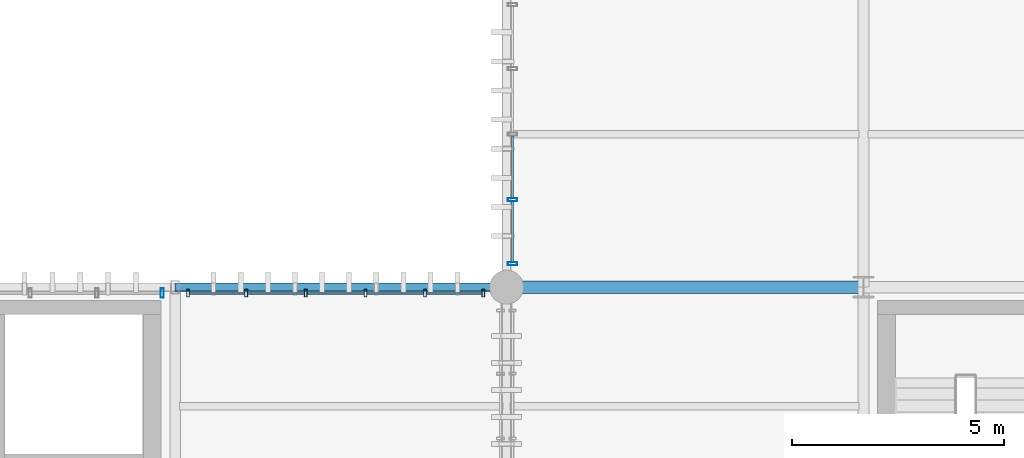
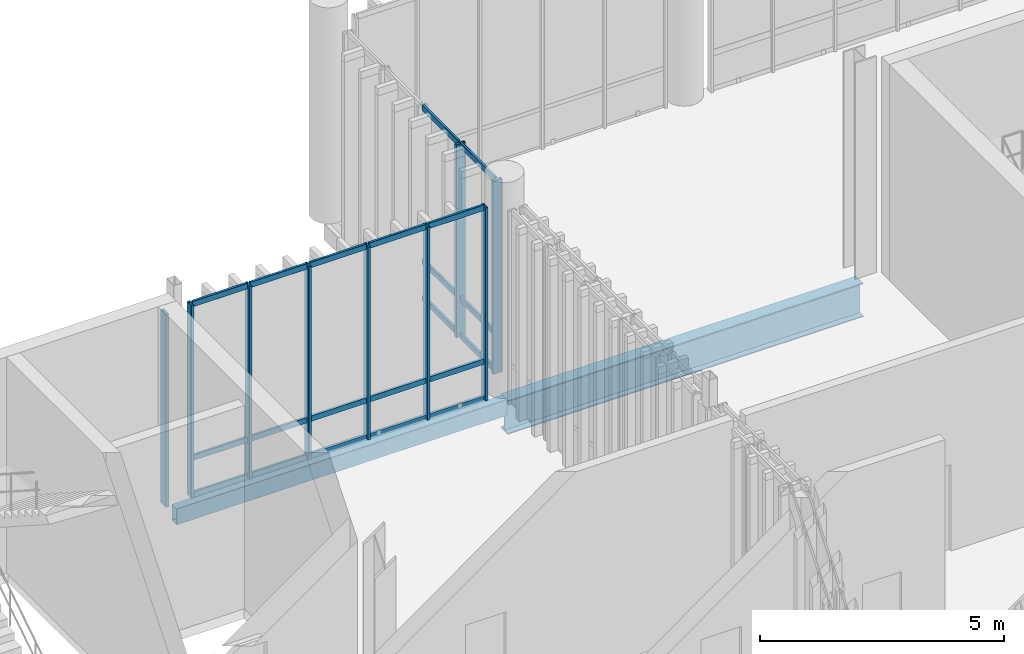
# One storey, part 42 of 128: 30 members, 2 beams, 3 elements without a shape of their own.
"""IFC4 building model written with IfcOpenShell, lengths in metres."""

import ifcopenshell
import ifcopenshell.guid

model = None  # the IFC model being written
_history = None  # IfcOwnerHistory: only IFC2X3 demands one
_inside = {}  # id of a spatial element -> (the spatial element, [elements in it])
_under = {}  # id of a project, library or spatial element -> (it, [spatial elements below it])
_declared = {}  # id of a project -> (the project, [libraries it declares])
_typed = {}  # id of a type object -> (the type object, [elements of that type])
_made_of = {}  # id of a material, layer set ... -> (it, [elements and type objects made of it])


def new_model(schema):
    """Start an empty IFC model of exactly this schema.

    Asked for "IFC4X3", IfcOpenShell would pick the latest addendum, in which some entities
    have other attributes; the version numbers below select the first issue.
    IFC2X3 requires an IfcOwnerHistory on every rooted entity: one is made here for all.
    """
    global model, _history
    if schema == "IFC4X3":
        model = ifcopenshell.file(schema_version=(4, 3, 0, 0))
    else:
        model = ifcopenshell.file(schema=schema)
    _inside.clear()
    _under.clear()
    _declared.clear()
    _typed.clear()
    _made_of.clear()
    _history = None
    if model.schema == "IFC2X3":
        org = make("IfcOrganization", Name="unknown")
        user = make(
            "IfcPersonAndOrganization",
            ThePerson=make("IfcPerson", FamilyName="unknown"),
            TheOrganization=org,
        )
        app = make(
            "IfcApplication",
            ApplicationDeveloper=org,
            Version="unknown",
            ApplicationFullName="unknown",
            ApplicationIdentifier="unknown",
        )
        _history = make(
            "IfcOwnerHistory",
            OwningUser=user,
            OwningApplication=app,
            ChangeAction="ADDED",
            CreationDate=0,
        )
    return model


def make(cls, **values):
    """One entity of the class cls with the attributes given. An attribute that is None is left unset."""
    return model.create_entity(
        cls, **{name: value for name, value in values.items() if value is not None}
    )


def rooted(cls, **values):
    """An entity with a GlobalId (a new one), such as an element, a storey or a relation."""
    return make(cls, GlobalId=ifcopenshell.guid.new(), OwnerHistory=_history, **values)


def si_unit(unit_type, name, prefix=None):
    """IfcSIUnit, for example si_unit("LENGTHUNIT", "METRE", prefix="MILLI")."""
    return make("IfcSIUnit", UnitType=unit_type, Prefix=prefix, Name=name)


def assignment(units):
    """IfcUnitAssignment: the units of a project."""
    return None if units is None else make("IfcUnitAssignment", Units=units)


def point(xyz):
    """IfcCartesianPoint."""
    return None if xyz is None else make("IfcCartesianPoint", Coordinates=xyz)


def direction(xyz):
    """IfcDirection."""
    return None if xyz is None else make("IfcDirection", DirectionRatios=xyz)


def frame(location, z_axis=None, x_axis=None):
    """IfcAxis2Placement3D, a coordinate frame: its origin and axes. An axis left out is left unset."""
    return make(
        "IfcAxis2Placement3D",
        Location=point(location),
        Axis=direction(z_axis),
        RefDirection=direction(x_axis),
    )


def frame_2d(location, x_axis=None):
    """IfcAxis2Placement2D, a coordinate frame in the plane: its origin and x axis."""
    return make(
        "IfcAxis2Placement2D", Location=point(location), RefDirection=direction(x_axis)
    )


def origin_with_axes():
    """The frame at (0, 0, 0) with the z axis (0, 0, 1) and the x axis (1, 0, 0) written out."""
    return frame((0.0, 0.0, 0.0), z_axis=(0.0, 0.0, 1.0), x_axis=(1.0, 0.0, 0.0))


def origin_2d_with_axis():
    """The frame at (0, 0) in the plane with the x axis (1, 0) written out."""
    return frame_2d((0.0, 0.0), x_axis=(1.0, 0.0))


def place(relative_to, where):
    """IfcLocalPlacement: puts the frame where relative to a parent placement (None: the world)."""
    return make(
        "IfcLocalPlacement", PlacementRelTo=relative_to, RelativePlacement=where
    )


def context(
    kind, dimensions, precision=None, world=None, true_north=None, identifier=None
):
    """IfcGeometricRepresentationContext, for example the 3D "Model" context."""
    return make(
        "IfcGeometricRepresentationContext",
        ContextIdentifier=identifier,
        ContextType=kind,
        CoordinateSpaceDimension=dimensions,
        Precision=precision,
        WorldCoordinateSystem=world,
        TrueNorth=true_north,
    )


def subcontext(parent, identifier, kind, view, scale=None):
    """IfcGeometricRepresentationSubContext, for example "Body" below "Model"."""
    return make(
        "IfcGeometricRepresentationSubContext",
        ContextIdentifier=identifier,
        ContextType=kind,
        ParentContext=parent,
        TargetScale=scale,
        TargetView=view,
    )


def project(units=None, contexts=None):
    """IfcProject with its units and contexts."""
    return rooted(
        "IfcProject",
        Name="project",
        RepresentationContexts=contexts,
        UnitsInContext=assignment(units),
    )


def spatial(cls, under=None, at=None, **own):
    """A site, building, storey or space (cls), placed at a placement, below another one or the project."""
    s = rooted(cls, ObjectPlacement=at, **own)
    if under is not None:
        _under.setdefault(under.id(), (under, []))[1].append(s)
    return s


def profile(cls, at=None, kind="AREA", **sizes):
    """A parametric profile (cls). Its sizes go by their IFC names, for example OverallWidth=200.0."""
    return make(cls, ProfileType=kind, Position=at, **sizes)


def hollow_rectangle(**sizes):
    """IfcRectangleHollowProfileDef."""
    return profile("IfcRectangleHollowProfileDef", **sizes)


def i_section(**sizes):
    """IfcIShapeProfileDef."""
    return profile("IfcIShapeProfileDef", **sizes)


def extrude(swept, where, along, depth):
    """IfcExtrudedAreaSolid: the profile swept, set in the frame where, extruded along a direction by depth."""
    return make(
        "IfcExtrudedAreaSolid",
        SweptArea=swept,
        Position=where,
        ExtrudedDirection=direction(along),
        Depth=depth,
    )


def shape(context_of_items, identifier, shape_type, items):
    """IfcShapeRepresentation: the items that make up one representation, for example the "Body"."""
    return make(
        "IfcShapeRepresentation",
        ContextOfItems=context_of_items,
        RepresentationIdentifier=identifier,
        RepresentationType=shape_type,
        Items=items,
    )


def material(Name=None, Category=None):
    """IfcMaterial."""
    return make("IfcMaterial", Name=Name, Category=Category)


def material_profile(
    of_material, cross_section, Name=None, Category=None, Priority=None
):
    """IfcMaterialProfile: a cross section and its material."""
    return make(
        "IfcMaterialProfile",
        Name=Name,
        Material=of_material,
        Profile=cross_section,
        Priority=Priority,
        Category=Category,
    )


def profile_set(profiles, Name=None, composite=None):
    """IfcMaterialProfileSet."""
    return make(
        "IfcMaterialProfileSet",
        Name=Name,
        MaterialProfiles=profiles,
        CompositeProfile=composite,
    )


def made_of(thing, what):
    """Note that an element or type object is made of a material, layer set ...; save() writes the relation."""
    if what is not None:
        _made_of.setdefault(what.id(), (what, []))[1].append(thing)
    return thing


def type_object(cls, material=None, **own):
    """A type object (cls), such as IfcWallType, which elements share."""
    return made_of(rooted(cls, **own), material)


def element(
    cls,
    number,
    at=None,
    inside=None,
    cuts=None,
    type_object=None,
    material=None,
    context=None,
    identifier="Body",
    shape_type=None,
    held_by="IfcProductDefinitionShape",
    body=None,
    shapes=None,
    **own,
):
    """One element of the class cls, such as IfcWall. Its Tag is "e" and its number.

    at: its placement. inside: the storey or other place that contains it. cuts: it is an
    opening in that element (IfcRelVoidsElement). A single representation is given by context,
    identifier, shape_type and body (its items); several are given by shapes. held_by: the class
    of the entity that holds the representations. save() writes the other relations.
    """
    e = rooted(cls, Tag="e%d" % number, ObjectPlacement=at, **own)
    if body is not None:
        shapes = [shape(context, identifier, shape_type, body)]
    if shapes is not None:
        e.Representation = make(held_by, Representations=shapes)
    if inside is not None:
        _inside.setdefault(inside.id(), (inside, []))[1].append(e)
    if cuts is not None:
        rooted(
            "IfcRelVoidsElement", RelatingBuildingElement=cuts, RelatedOpeningElement=e
        )
    if type_object is not None:
        _typed.setdefault(type_object.id(), (type_object, []))[1].append(e)
    return made_of(e, material)


def aggregate(whole, parts):
    """IfcRelAggregates: a whole, such as a stair, and the parts it consists of."""
    return rooted("IfcRelAggregates", RelatingObject=whole, RelatedObjects=parts)


def save(model, path):
    """Write the relations noted so far, then the file.

    IfcRelAggregates (storeys below a building ...), IfcRelContainedInSpatialStructure (elements
    in a storey), IfcRelDefinesByType, IfcRelAssociatesMaterial and IfcRelDeclares: one each for
    every whole, place, type object, material and project.
    """
    for whole, parts in _under.values():
        aggregate(whole, parts)
    for where, things in _inside.values():
        rooted(
            "IfcRelContainedInSpatialStructure",
            RelatedElements=things,
            RelatingStructure=where,
        )
    for kind, things in _typed.values():
        rooted("IfcRelDefinesByType", RelatedObjects=things, RelatingType=kind)
    for what, things in _made_of.values():
        rooted("IfcRelAssociatesMaterial", RelatedObjects=things, RelatingMaterial=what)
    for by, libraries in _declared.values():
        rooted("IfcRelDeclares", RelatingContext=by, RelatedDefinitions=libraries)
    model.write(path)


model = new_model("IFC4")

# Units and contexts
model_context = context("Model", 3, precision=1e-05, world=origin_with_axes(), true_north=direction((0.0, 1.0)))
body_context = subcontext(model_context, "Body", "Model", "MODEL_VIEW")
ifc_project = project(units=[si_unit("LENGTHUNIT", "METRE"), si_unit("AREAUNIT", "SQUARE_METRE"), si_unit("VOLUMEUNIT", "CUBIC_METRE"), si_unit("PLANEANGLEUNIT", "RADIAN"), si_unit("MASSUNIT", "GRAM", prefix="KILO"), si_unit("THERMODYNAMICTEMPERATUREUNIT", "KELVIN")], contexts=[model_context])

# Site, building, storey
site_placement = place(None, origin_with_axes())
site = spatial("IfcSite", under=ifc_project, at=site_placement, CompositionType="ELEMENT")
building_placement = place(site_placement, origin_with_axes())
building = spatial("IfcBuilding", under=site, at=building_placement, Name="Montbau Bow Law Courts", CompositionType="ELEMENT")
storey_placement = place(building_placement, frame((0.0, 0.0, 5.4), z_axis=(0.0, 0.0, 1.0), x_axis=(1.0, 0.0, 0.0)))
storey = spatial("IfcBuildingStorey", under=building, at=storey_placement, Name="L01", CompositionType="ELEMENT", Elevation=5.4)

# Beams
ifc_material_1 = material(Name="Steel CSA G40.21 Grade 350W (350 MPa)", Category="steel")
ifc_material_profile_1 = material_profile(ifc_material_1, i_section(OverallWidth=0.293, OverallDepth=0.846, WebThickness=0.0154, FlangeThickness=0.0244, at=origin_2d_with_axis()), Name="W840X210", Category="Main", Priority=0)
ifc_profile_set_1 = profile_set([ifc_material_profile_1], Name="Steel CSA G40.21 Grade 350W (350 MPa)")
beam_type_1 = type_object("IfcBeamType", Name="B-FLR-02", PredefinedType="BEAM", material=ifc_profile_set_1)
beam_1_placement = place(None, frame((46.8, 54.6, 4.737), z_axis=(1.0, 0.0, 0.0), x_axis=(0.0, 1.0, 0.0)))
element("IfcBeam", 1, at=beam_1_placement, inside=storey, type_object=beam_type_1, Name="BM-L01-S0810:bm2_0813", PredefinedType="BEAM", context=body_context, shape_type="SweptSolid", body=[
    extrude(i_section(OverallWidth=0.293, OverallDepth=0.846, WebThickness=0.0154, FlangeThickness=0.0244, at=origin_2d_with_axis()), origin_with_axes(), (0.0, 0.0, 1.0), 8.4),
])
ifc_material_2 = material(Name="Steel CSA G40.21 Grade 350WT (350 MPa)", Category="steel")
ifc_material_profile_2 = material_profile(ifc_material_2, hollow_rectangle(XDim=0.203, YDim=0.406, WallThickness=0.0127, InnerFilletRadius=0.0254, OuterFilletRadius=0.0127, at=origin_2d_with_axis()), Name="HSS406X203X13", Category="Main", Priority=0)
ifc_profile_set_2 = profile_set([ifc_material_profile_2], Name="Steel CSA G40.21 Grade 350WT (350 MPa)")
beam_type_2 = type_object("IfcBeamType", Name="B-SPN-01", PredefinedType="SPANDREL", material=ifc_profile_set_2)
beam_2_placement = place(None, frame((39.0, 54.6, 4.957), z_axis=(1.0, 0.0, 0.0), x_axis=(0.0, 1.0, 0.0)))
element("IfcBeam", 2, at=beam_2_placement, inside=storey, type_object=beam_type_2, Name="SPN-L01-S0533:bm2_0536", PredefinedType="SPANDREL", context=body_context, shape_type="SweptSolid", body=[
    extrude(hollow_rectangle(XDim=0.203, YDim=0.406, WallThickness=0.0127, InnerFilletRadius=0.0254, OuterFilletRadius=0.0127, at=origin_2d_with_axis()), origin_with_axes(), (0.0, 0.0, 1.0), 7.8),
])

# Curtain wall, member
ifc_material_3 = material(Name="Thermally Broken Extruded Aluminium AA 6063-T6", Category="aluminium")
curtain_wall_type_1 = type_object("IfcCurtainWallType", Name="CW-TRC-01", PredefinedType="NOTDEFINED", material=ifc_material_3)
curtain_wall_1_placement = place(None, frame((30.867, 54.46, 5.4), z_axis=(0.0, 0.0, 1.0), x_axis=(1.0, 0.0, 0.0)))
curtain_wall_1 = element("IfcCurtainWall", 3, at=curtain_wall_1_placement, inside=storey, type_object=curtain_wall_type_1, Name="CW-L01-024:cw_0024", PredefinedType="NOTDEFINED")
ifc_material_profile_3 = material_profile(ifc_material_3, hollow_rectangle(XDim=0.075, YDim=0.22, WallThickness=0.005, InnerFilletRadius=0.01, OuterFilletRadius=0.005, at=origin_2d_with_axis()), Name="CWM-220X75", Category="Main", Priority=0)
ifc_profile_set_3 = profile_set([ifc_material_profile_3], Name="Thermally Broken Extruded Aluminium AA 6063-T6")
member_type_1 = type_object("IfcMemberType", Name="M-MUL-01", PredefinedType="MULLION", material=ifc_profile_set_3)
member_1_placement = place(None, frame((38.694, 54.46, 5.4), z_axis=(0.0, 0.0, 1.0), x_axis=(1.0, 0.0, 0.0)))
member_1 = element("IfcMember", 4, at=member_1_placement, type_object=member_type_1, Name="CW-L01-024-M06:cw_0024_M06", PredefinedType="MULLION", context=body_context, shape_type="SweptSolid", body=[
    extrude(hollow_rectangle(XDim=0.075, YDim=0.22, WallThickness=0.005, InnerFilletRadius=0.01, OuterFilletRadius=0.005, at=origin_2d_with_axis()), origin_with_axes(), (0.0, 0.0, 1.0), 4.82),
])
aggregate(curtain_wall_1, [member_1])

# Curtain wall, members
curtain_wall_type_2 = type_object("IfcCurtainWallType", Name="CW-CRM-01", PredefinedType="NOTDEFINED", material=ifc_material_3)
curtain_wall_2_placement = place(None, frame((46.94, 55.115, 5.4), z_axis=(0.0, 0.0, 1.0), x_axis=(1.0, 0.0, 0.0)))
curtain_wall_2 = element("IfcCurtainWall", 5, at=curtain_wall_2_placement, inside=storey, type_object=curtain_wall_type_2, Name="CW-L01-153:cw_0153", PredefinedType="NOTDEFINED")
member_2_placement = place(None, frame((46.94, 55.152, 5.4), z_axis=(0.0, 0.0, 1.0), x_axis=(0.0, 1.0, 0.0)))
member_2 = element("IfcMember", 6, at=member_2_placement, type_object=member_type_1, Name="CW-L01-153-M01:cw_0153_M01", PredefinedType="MULLION", context=body_context, shape_type="SweptSolid", body=[
    extrude(hollow_rectangle(XDim=0.075, YDim=0.22, WallThickness=0.005, InnerFilletRadius=0.01, OuterFilletRadius=0.005, at=origin_2d_with_axis()), origin_with_axes(), (0.0, 0.0, 1.0), 4.82),
])
member_3_placement = place(None, frame((46.94, 56.657, 5.4), z_axis=(0.0, 0.0, 1.0), x_axis=(0.0, 1.0, 0.0)))
member_3 = element("IfcMember", 7, at=member_3_placement, type_object=member_type_1, Name="CW-L01-153-M02:cw_0153_M02", PredefinedType="MULLION", context=body_context, shape_type="SweptSolid", body=[
    extrude(hollow_rectangle(XDim=0.075, YDim=0.22, WallThickness=0.005, InnerFilletRadius=0.01, OuterFilletRadius=0.005, at=origin_2d_with_axis()), origin_with_axes(), (0.0, 0.0, 1.0), 4.82),
])

curtain_wall_3_placement = place(None, frame((39.268, 54.46, 5.4), z_axis=(0.0, 0.0, 1.0), x_axis=(1.0, 0.0, 0.0)))
curtain_wall_3 = element("IfcCurtainWall", 8, at=curtain_wall_3_placement, inside=storey, type_object=curtain_wall_type_1, Name="CW-L01-025:cw_0025", PredefinedType="NOTDEFINED")
ifc_material_profile_4 = material_profile(ifc_material_3, hollow_rectangle(XDim=0.065, YDim=0.18, WallThickness=0.005, InnerFilletRadius=0.01, OuterFilletRadius=0.005, at=origin_2d_with_axis()), Name="CWM-180X65", Category="Main", Priority=0)
ifc_profile_set_4 = profile_set([ifc_material_profile_4], Name="Thermally Broken Extruded Aluminium AA 6063-T6")
member_type_2 = type_object("IfcMemberType", Name="M-MUL-02", PredefinedType="MULLION", material=ifc_profile_set_4)
member_4_placement = place(None, frame((39.301, 54.46, 5.4), z_axis=(0.0, 0.0, 1.0), x_axis=(1.0, 0.0, 0.0)))
member_4 = element("IfcMember", 9, at=member_4_placement, type_object=member_type_2, Name="CW-L01-025-M01:cw_0025_M01", PredefinedType="MULLION", context=body_context, shape_type="SweptSolid", body=[
    extrude(hollow_rectangle(XDim=0.065, YDim=0.18, WallThickness=0.005, InnerFilletRadius=0.01, OuterFilletRadius=0.005, at=origin_2d_with_axis()), origin_with_axes(), (0.0, 0.0, 1.0), 4.82),
])
member_5_placement = place(None, frame((40.671, 54.46, 5.4), z_axis=(0.0, 0.0, 1.0), x_axis=(1.0, 0.0, 0.0)))
member_5 = element("IfcMember", 10, at=member_5_placement, type_object=member_type_2, Name="CW-L01-025-M02:cw_0025_M02", PredefinedType="MULLION", context=body_context, shape_type="SweptSolid", body=[
    extrude(hollow_rectangle(XDim=0.065, YDim=0.18, WallThickness=0.005, InnerFilletRadius=0.01, OuterFilletRadius=0.005, at=origin_2d_with_axis()), origin_with_axes(), (0.0, 0.0, 1.0), 4.82),
])
member_6_placement = place(None, frame((42.075, 54.46, 5.4), z_axis=(0.0, 0.0, 1.0), x_axis=(1.0, 0.0, 0.0)))
member_6 = element("IfcMember", 11, at=member_6_placement, type_object=member_type_2, Name="CW-L01-025-M03:cw_0025_M03", PredefinedType="MULLION", context=body_context, shape_type="SweptSolid", body=[
    extrude(hollow_rectangle(XDim=0.065, YDim=0.18, WallThickness=0.005, InnerFilletRadius=0.01, OuterFilletRadius=0.005, at=origin_2d_with_axis()), origin_with_axes(), (0.0, 0.0, 1.0), 4.82),
])
member_7_placement = place(None, frame((43.478, 54.46, 5.4), z_axis=(0.0, 0.0, 1.0), x_axis=(1.0, 0.0, 0.0)))
member_7 = element("IfcMember", 12, at=member_7_placement, type_object=member_type_2, Name="CW-L01-025-M04:cw_0025_M04", PredefinedType="MULLION", context=body_context, shape_type="SweptSolid", body=[
    extrude(hollow_rectangle(XDim=0.065, YDim=0.18, WallThickness=0.005, InnerFilletRadius=0.01, OuterFilletRadius=0.005, at=origin_2d_with_axis()), origin_with_axes(), (0.0, 0.0, 1.0), 4.82),
])
member_8_placement = place(None, frame((44.882, 54.46, 5.4), z_axis=(0.0, 0.0, 1.0), x_axis=(1.0, 0.0, 0.0)))
member_8 = element("IfcMember", 13, at=member_8_placement, type_object=member_type_2, Name="CW-L01-025-M05:cw_0025_M05", PredefinedType="MULLION", context=body_context, shape_type="SweptSolid", body=[
    extrude(hollow_rectangle(XDim=0.065, YDim=0.18, WallThickness=0.005, InnerFilletRadius=0.01, OuterFilletRadius=0.005, at=origin_2d_with_axis()), origin_with_axes(), (0.0, 0.0, 1.0), 4.82),
])
member_9_placement = place(None, frame((46.252, 54.46, 5.4), z_axis=(0.0, 0.0, 1.0), x_axis=(1.0, 0.0, 0.0)))
member_9 = element("IfcMember", 14, at=member_9_placement, type_object=member_type_2, Name="CW-L01-025-M06:cw_0025_M06", PredefinedType="MULLION", context=body_context, shape_type="SweptSolid", body=[
    extrude(hollow_rectangle(XDim=0.065, YDim=0.18, WallThickness=0.005, InnerFilletRadius=0.01, OuterFilletRadius=0.005, at=origin_2d_with_axis()), origin_with_axes(), (0.0, 0.0, 1.0), 4.82),
])
ifc_material_profile_5 = material_profile(ifc_material_3, hollow_rectangle(XDim=0.055, YDim=0.14, WallThickness=0.004, InnerFilletRadius=0.008, OuterFilletRadius=0.004, at=origin_2d_with_axis()), Name="CWT-140X55", Category="Main", Priority=0)
ifc_profile_set_5 = profile_set([ifc_material_profile_5], Name="Thermally Broken Extruded Aluminium AA 6063-T6")
member_type_3 = type_object("IfcMemberType", Name="M-TRN-02", PredefinedType="USERDEFINED", material=ifc_profile_set_5)
member_10_placement = place(None, frame((39.336, 54.46, 5.428), z_axis=(1.0, 0.0, 0.0), x_axis=(0.0, 1.0, 0.0)))
member_10 = element("IfcMember", 15, at=member_10_placement, type_object=member_type_3, Name="CW-L01-025-T01-1:cw_0025_T01_1", ObjectType="TRANSOM", PredefinedType="USERDEFINED", context=body_context, shape_type="SweptSolid", body=[
    extrude(hollow_rectangle(XDim=0.055, YDim=0.14, WallThickness=0.004, InnerFilletRadius=0.008, OuterFilletRadius=0.004, at=origin_2d_with_axis()), origin_with_axes(), (0.0, 0.0, 1.0), 1.301),
])
member_11_placement = place(None, frame((39.336, 54.46, 6.35), z_axis=(1.0, 0.0, 0.0), x_axis=(0.0, 1.0, 0.0)))
member_11 = element("IfcMember", 16, at=member_11_placement, type_object=member_type_3, Name="CW-L01-025-T01-2:cw_0025_T01_2", ObjectType="TRANSOM", PredefinedType="USERDEFINED", context=body_context, shape_type="SweptSolid", body=[
    extrude(hollow_rectangle(XDim=0.055, YDim=0.14, WallThickness=0.004, InnerFilletRadius=0.008, OuterFilletRadius=0.004, at=origin_2d_with_axis()), origin_with_axes(), (0.0, 0.0, 1.0), 1.301),
])
member_12_placement = place(None, frame((39.336, 54.46, 10.193), z_axis=(1.0, 0.0, 0.0), x_axis=(0.0, 1.0, 0.0)))
member_12 = element("IfcMember", 17, at=member_12_placement, type_object=member_type_3, Name="CW-L01-025-T01-3:cw_0025_T01_3", ObjectType="TRANSOM", PredefinedType="USERDEFINED", context=body_context, shape_type="SweptSolid", body=[
    extrude(hollow_rectangle(XDim=0.055, YDim=0.14, WallThickness=0.004, InnerFilletRadius=0.008, OuterFilletRadius=0.004, at=origin_2d_with_axis()), origin_with_axes(), (0.0, 0.0, 1.0), 1.301),
])
member_13_placement = place(None, frame((40.706, 54.46, 5.428), z_axis=(1.0, 0.0, 0.0), x_axis=(0.0, 1.0, 0.0)))
member_13 = element("IfcMember", 18, at=member_13_placement, type_object=member_type_3, Name="CW-L01-025-T02-1:cw_0025_T02_1", ObjectType="TRANSOM", PredefinedType="USERDEFINED", context=body_context, shape_type="SweptSolid", body=[
    extrude(hollow_rectangle(XDim=0.055, YDim=0.14, WallThickness=0.004, InnerFilletRadius=0.008, OuterFilletRadius=0.004, at=origin_2d_with_axis()), origin_with_axes(), (0.0, 0.0, 1.0), 1.334),
])
member_14_placement = place(None, frame((40.706, 54.46, 6.35), z_axis=(1.0, 0.0, 0.0), x_axis=(0.0, 1.0, 0.0)))
member_14 = element("IfcMember", 19, at=member_14_placement, type_object=member_type_3, Name="CW-L01-025-T02-2:cw_0025_T02_2", ObjectType="TRANSOM", PredefinedType="USERDEFINED", context=body_context, shape_type="SweptSolid", body=[
    extrude(hollow_rectangle(XDim=0.055, YDim=0.14, WallThickness=0.004, InnerFilletRadius=0.008, OuterFilletRadius=0.004, at=origin_2d_with_axis()), origin_with_axes(), (0.0, 0.0, 1.0), 1.334),
])
member_15_placement = place(None, frame((40.706, 54.46, 10.193), z_axis=(1.0, 0.0, 0.0), x_axis=(0.0, 1.0, 0.0)))
member_15 = element("IfcMember", 20, at=member_15_placement, type_object=member_type_3, Name="CW-L01-025-T02-3:cw_0025_T02_3", ObjectType="TRANSOM", PredefinedType="USERDEFINED", context=body_context, shape_type="SweptSolid", body=[
    extrude(hollow_rectangle(XDim=0.055, YDim=0.14, WallThickness=0.004, InnerFilletRadius=0.008, OuterFilletRadius=0.004, at=origin_2d_with_axis()), origin_with_axes(), (0.0, 0.0, 1.0), 1.334),
])
member_16_placement = place(None, frame((42.109, 54.46, 5.428), z_axis=(1.0, 0.0, 0.0), x_axis=(0.0, 1.0, 0.0)))
member_16 = element("IfcMember", 21, at=member_16_placement, type_object=member_type_3, Name="CW-L01-025-T03-1:cw_0025_T03_1", ObjectType="TRANSOM", PredefinedType="USERDEFINED", context=body_context, shape_type="SweptSolid", body=[
    extrude(hollow_rectangle(XDim=0.055, YDim=0.14, WallThickness=0.004, InnerFilletRadius=0.008, OuterFilletRadius=0.004, at=origin_2d_with_axis()), origin_with_axes(), (0.0, 0.0, 1.0), 1.335),
])
member_17_placement = place(None, frame((42.109, 54.46, 6.35), z_axis=(1.0, 0.0, 0.0), x_axis=(0.0, 1.0, 0.0)))
member_17 = element("IfcMember", 22, at=member_17_placement, type_object=member_type_3, Name="CW-L01-025-T03-2:cw_0025_T03_2", ObjectType="TRANSOM", PredefinedType="USERDEFINED", context=body_context, shape_type="SweptSolid", body=[
    extrude(hollow_rectangle(XDim=0.055, YDim=0.14, WallThickness=0.004, InnerFilletRadius=0.008, OuterFilletRadius=0.004, at=origin_2d_with_axis()), origin_with_axes(), (0.0, 0.0, 1.0), 1.335),
])
member_18_placement = place(None, frame((42.109, 54.46, 10.193), z_axis=(1.0, 0.0, 0.0), x_axis=(0.0, 1.0, 0.0)))
member_18 = element("IfcMember", 23, at=member_18_placement, type_object=member_type_3, Name="CW-L01-025-T03-3:cw_0025_T03_3", ObjectType="TRANSOM", PredefinedType="USERDEFINED", context=body_context, shape_type="SweptSolid", body=[
    extrude(hollow_rectangle(XDim=0.055, YDim=0.14, WallThickness=0.004, InnerFilletRadius=0.008, OuterFilletRadius=0.004, at=origin_2d_with_axis()), origin_with_axes(), (0.0, 0.0, 1.0), 1.335),
])
member_19_placement = place(None, frame((43.512, 54.46, 5.428), z_axis=(1.0, 0.0, 0.0), x_axis=(0.0, 1.0, 0.0)))
member_19 = element("IfcMember", 24, at=member_19_placement, type_object=member_type_3, Name="CW-L01-025-T04-1:cw_0025_T04_1", ObjectType="TRANSOM", PredefinedType="USERDEFINED", context=body_context, shape_type="SweptSolid", body=[
    extrude(hollow_rectangle(XDim=0.055, YDim=0.14, WallThickness=0.004, InnerFilletRadius=0.008, OuterFilletRadius=0.004, at=origin_2d_with_axis()), origin_with_axes(), (0.0, 0.0, 1.0), 1.336),
])
member_20_placement = place(None, frame((43.512, 54.46, 6.35), z_axis=(1.0, 0.0, 0.0), x_axis=(0.0, 1.0, 0.0)))
member_20 = element("IfcMember", 25, at=member_20_placement, type_object=member_type_3, Name="CW-L01-025-T04-2:cw_0025_T04_2", ObjectType="TRANSOM", PredefinedType="USERDEFINED", context=body_context, shape_type="SweptSolid", body=[
    extrude(hollow_rectangle(XDim=0.055, YDim=0.14, WallThickness=0.004, InnerFilletRadius=0.008, OuterFilletRadius=0.004, at=origin_2d_with_axis()), origin_with_axes(), (0.0, 0.0, 1.0), 1.336),
])
member_21_placement = place(None, frame((43.512, 54.46, 10.193), z_axis=(1.0, 0.0, 0.0), x_axis=(0.0, 1.0, 0.0)))
member_21 = element("IfcMember", 26, at=member_21_placement, type_object=member_type_3, Name="CW-L01-025-T04-3:cw_0025_T04_3", ObjectType="TRANSOM", PredefinedType="USERDEFINED", context=body_context, shape_type="SweptSolid", body=[
    extrude(hollow_rectangle(XDim=0.055, YDim=0.14, WallThickness=0.004, InnerFilletRadius=0.008, OuterFilletRadius=0.004, at=origin_2d_with_axis()), origin_with_axes(), (0.0, 0.0, 1.0), 1.336),
])
member_22_placement = place(None, frame((44.916, 54.46, 5.428), z_axis=(1.0, 0.0, 0.0), x_axis=(0.0, 1.0, 0.0)))
member_22 = element("IfcMember", 27, at=member_22_placement, type_object=member_type_3, Name="CW-L01-025-T05-1:cw_0025_T05_1", ObjectType="TRANSOM", PredefinedType="USERDEFINED", context=body_context, shape_type="SweptSolid", body=[
    extrude(hollow_rectangle(XDim=0.055, YDim=0.14, WallThickness=0.004, InnerFilletRadius=0.008, OuterFilletRadius=0.004, at=origin_2d_with_axis()), origin_with_axes(), (0.0, 0.0, 1.0), 1.302),
])
member_23_placement = place(None, frame((44.916, 54.46, 6.35), z_axis=(1.0, 0.0, 0.0), x_axis=(0.0, 1.0, 0.0)))
member_23 = element("IfcMember", 28, at=member_23_placement, type_object=member_type_3, Name="CW-L01-025-T05-2:cw_0025_T05_2", ObjectType="TRANSOM", PredefinedType="USERDEFINED", context=body_context, shape_type="SweptSolid", body=[
    extrude(hollow_rectangle(XDim=0.055, YDim=0.14, WallThickness=0.004, InnerFilletRadius=0.008, OuterFilletRadius=0.004, at=origin_2d_with_axis()), origin_with_axes(), (0.0, 0.0, 1.0), 1.302),
])
member_24_placement = place(None, frame((44.916, 54.46, 10.193), z_axis=(1.0, 0.0, 0.0), x_axis=(0.0, 1.0, 0.0)))
member_24 = element("IfcMember", 29, at=member_24_placement, type_object=member_type_3, Name="CW-L01-025-T05-3:cw_0025_T05_3", ObjectType="TRANSOM", PredefinedType="USERDEFINED", context=body_context, shape_type="SweptSolid", body=[
    extrude(hollow_rectangle(XDim=0.055, YDim=0.14, WallThickness=0.004, InnerFilletRadius=0.008, OuterFilletRadius=0.004, at=origin_2d_with_axis()), origin_with_axes(), (0.0, 0.0, 1.0), 1.302),
])
aggregate(curtain_wall_3, [member_4, member_5, member_6, member_7, member_8, member_9, member_10, member_11, member_12, member_13, member_14, member_15, member_16, member_17, member_18, member_19, member_20, member_21, member_22, member_23, member_24])

# Member
member_25_placement = place(None, frame((46.94, 55.191, 5.428), z_axis=(0.0, 1.0, 0.0), x_axis=(-1.0, 0.0, 0.0)))
member_25 = element("IfcMember", 30, at=member_25_placement, type_object=member_type_3, Name="CW-L01-153-T01-1:cw_0153_T01_1", ObjectType="TRANSOM", PredefinedType="USERDEFINED", context=body_context, shape_type="SweptSolid", body=[
    extrude(hollow_rectangle(XDim=0.055, YDim=0.14, WallThickness=0.004, InnerFilletRadius=0.008, OuterFilletRadius=0.004, at=origin_2d_with_axis()), origin_with_axes(), (0.0, 0.0, 1.0), 1.426),
])

member_26_placement = place(None, frame((46.94, 55.191, 6.35), z_axis=(0.0, 1.0, 0.0), x_axis=(-1.0, 0.0, 0.0)))
member_26 = element("IfcMember", 31, at=member_26_placement, type_object=member_type_3, Name="CW-L01-153-T01-2:cw_0153_T01_2", ObjectType="TRANSOM", PredefinedType="USERDEFINED", context=body_context, shape_type="SweptSolid", body=[
    extrude(hollow_rectangle(XDim=0.055, YDim=0.14, WallThickness=0.004, InnerFilletRadius=0.008, OuterFilletRadius=0.004, at=origin_2d_with_axis()), origin_with_axes(), (0.0, 0.0, 1.0), 1.426),
])

member_27_placement = place(None, frame((46.94, 55.191, 10.193), z_axis=(0.0, 1.0, 0.0), x_axis=(-1.0, 0.0, 0.0)))
member_27 = element("IfcMember", 32, at=member_27_placement, type_object=member_type_3, Name="CW-L01-153-T01-3:cw_0153_T01_3", ObjectType="TRANSOM", PredefinedType="USERDEFINED", context=body_context, shape_type="SweptSolid", body=[
    extrude(hollow_rectangle(XDim=0.055, YDim=0.14, WallThickness=0.004, InnerFilletRadius=0.008, OuterFilletRadius=0.004, at=origin_2d_with_axis()), origin_with_axes(), (0.0, 0.0, 1.0), 1.426),
])

member_28_placement = place(None, frame((46.94, 56.697, 5.428), z_axis=(0.0, 1.0, 0.0), x_axis=(-1.0, 0.0, 0.0)))
member_28 = element("IfcMember", 33, at=member_28_placement, type_object=member_type_3, Name="CW-L01-153-T02-1:cw_0153_T02_1", ObjectType="TRANSOM", PredefinedType="USERDEFINED", context=body_context, shape_type="SweptSolid", body=[
    extrude(hollow_rectangle(XDim=0.055, YDim=0.14, WallThickness=0.004, InnerFilletRadius=0.008, OuterFilletRadius=0.004, at=origin_2d_with_axis()), origin_with_axes(), (0.0, 0.0, 1.0), 1.464),
])

member_29_placement = place(None, frame((46.94, 56.697, 6.35), z_axis=(0.0, 1.0, 0.0), x_axis=(-1.0, 0.0, 0.0)))
member_29 = element("IfcMember", 34, at=member_29_placement, type_object=member_type_3, Name="CW-L01-153-T02-2:cw_0153_T02_2", ObjectType="TRANSOM", PredefinedType="USERDEFINED", context=body_context, shape_type="SweptSolid", body=[
    extrude(hollow_rectangle(XDim=0.055, YDim=0.14, WallThickness=0.004, InnerFilletRadius=0.008, OuterFilletRadius=0.004, at=origin_2d_with_axis()), origin_with_axes(), (0.0, 0.0, 1.0), 1.464),
])

member_30_placement = place(None, frame((46.94, 56.697, 10.193), z_axis=(0.0, 1.0, 0.0), x_axis=(-1.0, 0.0, 0.0)))
member_30 = element("IfcMember", 35, at=member_30_placement, type_object=member_type_3, Name="CW-L01-153-T02-3:cw_0153_T02_3", ObjectType="TRANSOM", PredefinedType="USERDEFINED", context=body_context, shape_type="SweptSolid", body=[
    extrude(hollow_rectangle(XDim=0.055, YDim=0.14, WallThickness=0.004, InnerFilletRadius=0.008, OuterFilletRadius=0.004, at=origin_2d_with_axis()), origin_with_axes(), (0.0, 0.0, 1.0), 1.464),
])

aggregate(curtain_wall_2, [member_2, member_3, member_25, member_26, member_27, member_28, member_29, member_30])

save(model, "model.ifc")
